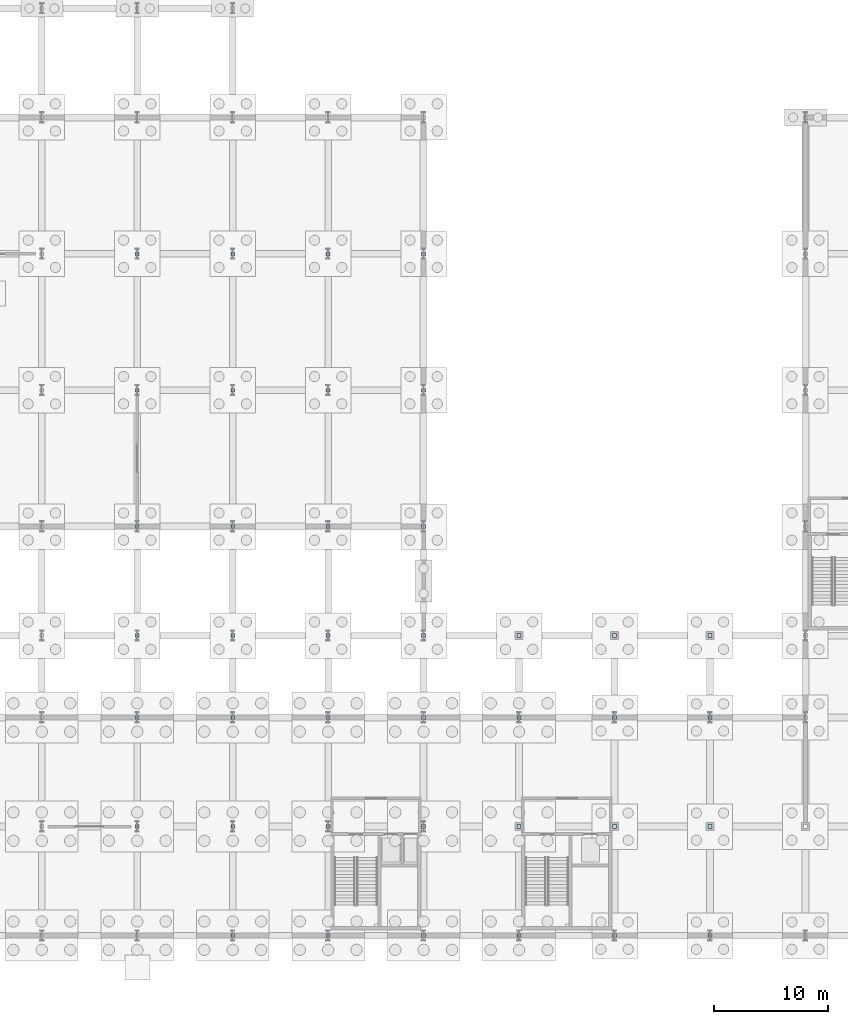
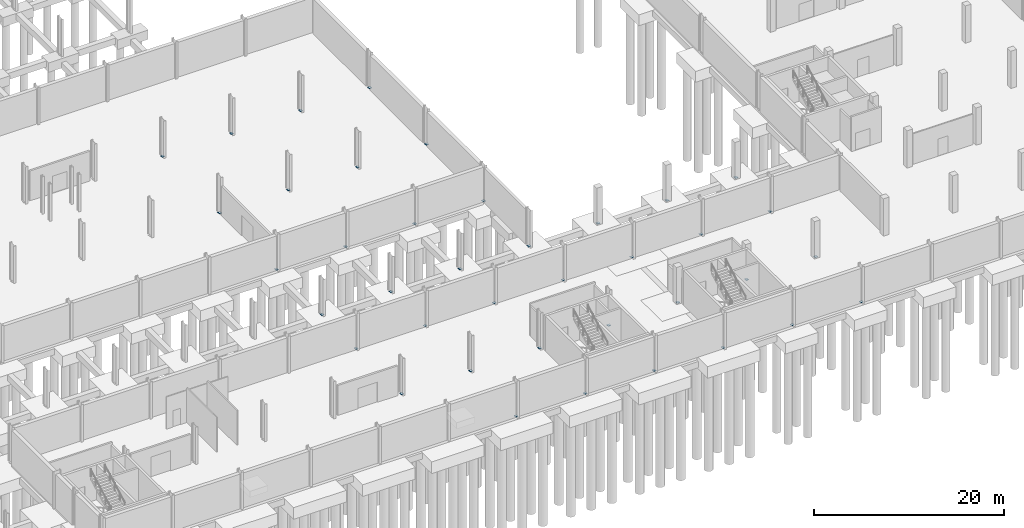
# One storey, part 17 of 29: 39 plates.
"""IFC4 building model written with IfcOpenShell, lengths in metres."""

from ifc_helpers import new_model, si_unit, direction, frame, origin, origin_2d, place, context, subcontext, project, spatial, rectangle, extrude, material, layer, layer_set, type_object, element, save


model = new_model("IFC4")

# Units and contexts
model_context = context("Model", 3, precision=1e-05, world=origin(), true_north=direction((0.0, 1.0)))
body_context = subcontext(model_context, "Body", "Model", "MODEL_VIEW")
ifc_project = project(units=[si_unit("LENGTHUNIT", "METRE"), si_unit("AREAUNIT", "SQUARE_METRE"), si_unit("VOLUMEUNIT", "CUBIC_METRE"), si_unit("PLANEANGLEUNIT", "RADIAN"), si_unit("MASSUNIT", "GRAM", prefix="KILO")], contexts=[model_context])

# Site, building, storey
site_placement = place(None, origin())
site = spatial("IfcSite", under=ifc_project, at=site_placement, CompositionType="ELEMENT")
building_placement = place(site_placement, origin())
building = spatial("IfcBuilding", under=site, at=building_placement, Name="Veltarok Museum of Natural Sciences", CompositionType="ELEMENT")
storey_placement = place(building_placement, frame((0.0, 0.0, -4.800048828125)))
storey = spatial("IfcBuildingStorey", under=building, at=storey_placement, Name="B1", CompositionType="ELEMENT", Elevation=-4.800048828125)

# Plates
ifc_material = material(Name="Steel S355J2", Category="steel")
ifc_layer = layer(ifc_material, 0.02001953125)
ifc_layer_set = layer_set([ifc_layer], Name="Steel S355J2")
plate_type = type_object("IfcPlateType", Name="Hollow End Closure Plate D340x20", PredefinedType="USERDEFINED", material=ifc_layer_set)
for number, where, z_axis, x_axis, name in (
    (1, (73.60009765625, 9.60009765625, 0.0), (0.0, 0.0, 1.0), (1.0, 0.0, 0.0), "Column Base Plate B1 9/B"),
    (2, (73.60009765625, 19.199951171875, 0.0), (0.0, 0.0, 1.0), (1.0, 0.0, 0.0), "Column Base Plate B1 9/C"),
    (3, (73.60009765625, 26.39990234375, 0.0), (0.0, 0.0, 1.0), (1.0, 0.0, 0.0), "Column Base Plate B1 9/D"),
    (4, (73.60009765625, 36.0, 0.0), (0.0, 0.0, 1.0), (1.0, 0.0, 0.0), "Column Base Plate B1 9/E"),
    (5, (73.60009765625, 48.0, 0.0), (0.0, 0.0, 1.0), (1.0, 0.0, 0.0), "Column Base Plate B1 9/F"),
    (6, (73.60009765625, 60.0, 0.0), (0.0, 0.0, 1.0), (1.0, 0.0, 0.0), "Column Base Plate B1 9/G"),
    (7, (82.0, 0.0, 0.0), (0.0, 0.0, 1.0), (1.0, 0.0, 0.0), "Column Base Plate B1 10/A"),
    (8, (82.0, 9.60009765625, 0.0), (0.0, 0.0, 1.0), (1.0, 0.0, 0.0), "Column Base Plate B1 10/B"),
    (9, (82.0, 19.199951171875, 0.0), (0.0, 0.0, 1.0), (1.0, 0.0, 0.0), "Column Base Plate B1 10/C"),
    (10, (82.0, 26.39990234375, 0.0), (0.0, 0.0, 1.0), (1.0, 0.0, 0.0), "Column Base Plate B1 10/D"),
    (11, (82.0, 36.0, 0.0), (0.0, 0.0, 1.0), (1.0, 0.0, 0.0), "Column Base Plate B1 10/E"),
    (12, (82.0, 48.0, 0.0), (0.0, 0.0, 1.0), (1.0, 0.0, 0.0), "Column Base Plate B1 10/F"),
    (13, (82.0, 60.0, 0.0), (0.0, 0.0, 1.0), (1.0, 0.0, 0.0), "Column Base Plate B1 10/G"),
    (14, (90.39990234375, 0.0, 0.0), (0.0, 0.0, 1.0), (1.0, 0.0, 0.0), "Column Base Plate B1 11/A"),
    (15, (90.39990234375, 9.60009765625, 0.0), (0.0, 0.0, 1.0), (1.0, 0.0, 0.0), "Column Base Plate B1 11/B"),
    (16, (90.39990234375, 19.199951171875, 0.0), (0.0, 0.0, 1.0), (1.0, 0.0, 0.0), "Column Base Plate B1 11/C"),
    (17, (90.39990234375, 26.39990234375, 0.0), (0.0, 0.0, 1.0), (1.0, 0.0, 0.0), "Column Base Plate B1 11/D"),
    (18, (90.39990234375, 36.0, 0.0), (0.0, 0.0, 1.0), (1.0, 0.0, 0.0), "Column Base Plate B1 11/E"),
    (19, (90.39990234375, 48.0, 0.0), (0.0, 0.0, 1.0), (1.0, 0.0, 0.0), "Column Base Plate B1 11/F"),
    (20, (90.39990234375, 60.0, 0.0), (0.0, 0.0, 1.0), (1.0, 0.0, 0.0), "Column Base Plate B1 11/G"),
    (21, (98.800048828125, 0.0, 0.0), (0.0, 0.0, 1.0), (1.0, 0.0, 0.0), "Column Base Plate B1 12/A"),
    (22, (98.800048828125, 9.60009765625, 0.0), (0.0, 0.0, 1.0), (1.0, 0.0, 0.0), "Column Base Plate B1 12/B"),
    (23, (98.800048828125, 19.199951171875, 0.0), (0.0, 0.0, 1.0), (1.0, 0.0, 0.0), "Column Base Plate B1 12/C"),
    (24, (98.800048828125, 26.39990234375, 0.0), (0.0, 0.0, 1.0), (1.0, 0.0, 0.0), "Column Base Plate B1 12/D"),
    (25, (98.800048828125, 36.0, 0.0), (0.0, 0.0, 1.0), (1.0, 0.0, 0.0), "Column Base Plate B1 12/E"),
    (26, (98.800048828125, 48.0, 0.0), (0.0, 0.0, 1.0), (1.0, 0.0, 0.0), "Column Base Plate B1 12/F"),
    (27, (98.800048828125, 60.0, 0.0), (0.0, 0.0, 1.0), (1.0, 0.0, 0.0), "Column Base Plate B1 12/G"),
    (28, (107.199951171875, 0.0, 0.0), (0.0, 0.0, 1.0), (1.0, 0.0, 0.0), "Column Base Plate B1 13/A"),
    (29, (107.199951171875, 9.60009765625, 0.0), (0.0, 0.0, 1.0), (1.0, 0.0, 0.0), "Column Base Plate B1 13/B"),
    (30, (107.199951171875, 19.199951171875, 0.0), (0.0, 0.0, 1.0), (1.0, 0.0, 0.0), "Column Base Plate B1 13/C"),
    (31, (107.199951171875, 26.39990234375, 0.0), (0.0, 0.0, 1.0), (1.0, 0.0, 0.0), "Column Base Plate B1 13/D"),
    (32, (115.60009765625, 0.0, 0.0), (0.0, 0.0, 1.0), (1.0, 0.0, 0.0), "Column Base Plate B1 14/A"),
    (33, (115.60009765625, 9.60009765625, 0.0), (0.0, 0.0, 1.0), (1.0, 0.0, 0.0), "Column Base Plate B1 14/B"),
    (34, (115.60009765625, 19.199951171875, 0.0), (0.0, 0.0, 1.0), (1.0, 0.0, 0.0), "Column Base Plate B1 14/C"),
    (35, (115.60009765625, 26.39990234375, 0.0), (0.0, 0.0, 1.0), (1.0, 0.0, 0.0), "Column Base Plate B1 14/D"),
    (36, (124.0, 0.0, 0.0), (0.0, 0.0, 1.0), (1.0, 0.0, 0.0), "Column Base Plate B1 15/A"),
    (37, (124.0, 9.60009765625, 0.0), (0.0, 0.0, 1.0), (1.0, 0.0, 0.0), "Column Base Plate B1 15/B"),
    (38, (124.0, 19.199951171875, 0.0), (0.0, 0.0, 1.0), (1.0, 0.0, 0.0), "Column Base Plate B1 15/C"),
    (39, (124.0, 26.39990234375, 0.0), (0.0, 0.0, 1.0), (1.0, 0.0, 0.0), "Column Base Plate B1 15/D"),
):
    element("IfcPlate", number, at=place(storey_placement, frame(where, z_axis=z_axis, x_axis=x_axis)), inside=storey, type_object=plate_type, Name=name, ObjectType="END CAP PLATE", PredefinedType="USERDEFINED", context=body_context, shape_type="SweptSolid", body=[
        extrude(rectangle(XDim=0.340087890625, YDim=0.340087890625, at=origin_2d()), origin(), (0.0, 0.0, 1.0), 0.02001953125),
    ])

save(model, "model.ifc")
